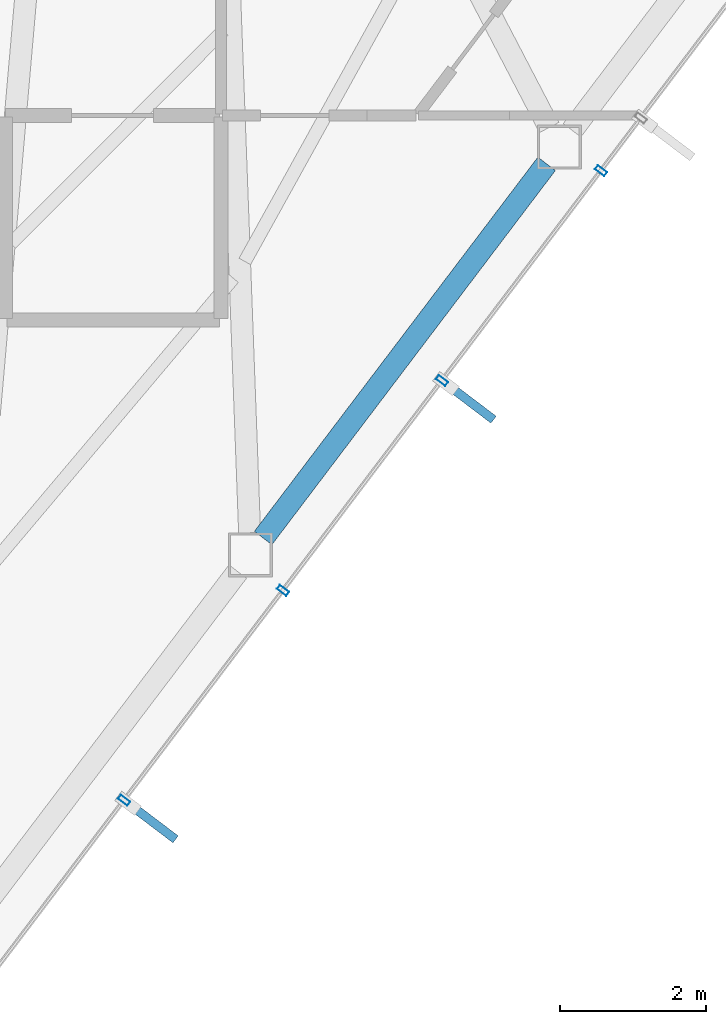
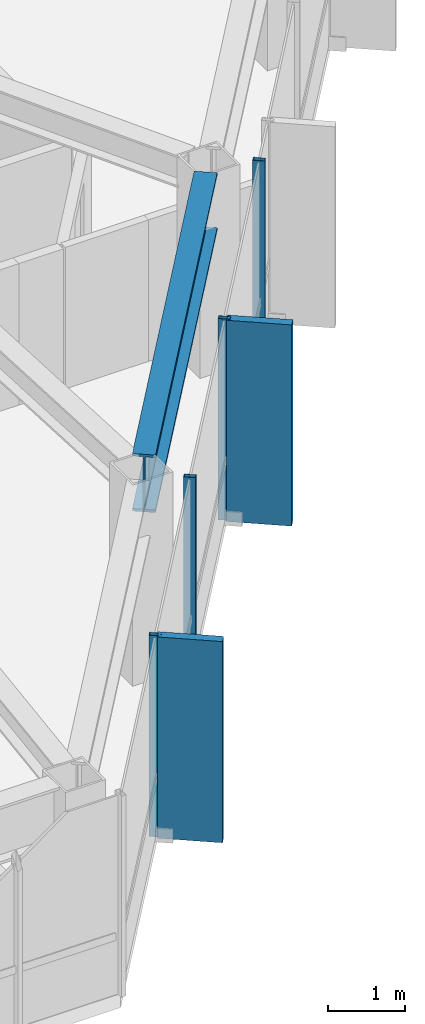
# One storey, part 14 of 25: 6 members, 1 beam, 1 element without a shape of its own.
"""IFC4 building model written with IfcOpenShell, lengths in metres."""

from ifc_helpers import new_model, si_unit, direction, frame, origin, origin_2d, place, context, subcontext, project, spatial, rectangle, hollow_rectangle, i_section, extrude, material, layer, layer_set, material_profile, profile_set, type_object, element, aggregate, save


model = new_model("IFC4")

# Units and contexts
model_context = context("Model", 3, precision=1e-05, world=origin(), true_north=direction((0.0, 1.0)))
body_context = subcontext(model_context, "Body", "Model", "MODEL_VIEW")
ifc_project = project(units=[si_unit("LENGTHUNIT", "METRE"), si_unit("AREAUNIT", "SQUARE_METRE"), si_unit("VOLUMEUNIT", "CUBIC_METRE"), si_unit("PLANEANGLEUNIT", "RADIAN"), si_unit("MASSUNIT", "GRAM", prefix="KILO")], contexts=[model_context])

# Site, building, storey
site_placement = place(None, origin())
site = spatial("IfcSite", under=ifc_project, at=site_placement, CompositionType="ELEMENT")
building_placement = place(site_placement, origin())
building = spatial("IfcBuilding", under=site, at=building_placement, Name="Zarrinselat Tower", CompositionType="ELEMENT")
storey_placement = place(building_placement, frame((0.0, 0.0, 212.159912109375)))
storey = spatial("IfcBuildingStorey", under=building, at=storey_placement, Name="L52", CompositionType="ELEMENT", Elevation=212.159912109375)

# Beam
ifc_material_1 = material(Name="Steel S460M", Category="steel")
ifc_material_profile_1 = material_profile(ifc_material_1, i_section(OverallWidth=0.302001953125, OverallDepth=0.909912109375, WebThickness=0.02099609375, FlangeThickness=0.0400390625, at=origin_2d()), Name="HEM 900")
ifc_profile_set_1 = profile_set([ifc_material_profile_1], Name="Steel S460M")
beam_type = type_object("IfcBeamType", Name="BM-HEM900", PredefinedType="BEAM", material=ifc_profile_set_1)
beam_placement = place(storey_placement, frame((48.926513671875, 24.369384765625, 2.72509765625), z_axis=(0.603860615044, 0.797089930684, 0.0), x_axis=(-0.797089930684, 0.603860615044, 0.0)))
element("IfcBeam", 1, at=beam_placement, inside=storey, type_object=beam_type, Name="L52 Perimeter Spandrel Girder SP12", PredefinedType="BEAM", context=body_context, shape_type="SweptSolid", body=[
    extrude(i_section(OverallWidth=0.302001953125, OverallDepth=0.909912109375, WebThickness=0.02099609375, FlangeThickness=0.0400390625, at=origin_2d()), origin(), (0.0, 0.0, 1.0), 6.423583984375),
])

# Curtain wall, members
ifc_material_2 = material(Name="Extruded Aluminium Alloy EN AW-6063 T6", Category="aluminium")
ifc_layer = layer(ifc_material_2, 0.169921875)
ifc_layer_set = layer_set([ifc_layer], Name="Extruded Aluminium Alloy EN AW-6063 T6")
curtain_wall_type = type_object("IfcCurtainWallType", Name="CWS-RES", PredefinedType="NOTDEFINED", material=ifc_layer_set)
curtain_wall_placement = place(storey_placement, origin())
curtain_wall = element("IfcCurtainWall", 2, at=curtain_wall_placement, inside=storey, type_object=curtain_wall_type, Name="L52 Unitised Curtain Wall CW-L52-E05", PredefinedType="NOTDEFINED")
ifc_material_3 = material(Name="Extruded Aluminium Alloy EN AW-6063 T6", Category="aluminium")
ifc_material_profile_2 = material_profile(ifc_material_3, hollow_rectangle(XDim=0.070068359375, YDim=0.159912109375, WallThickness=0.00390625, at=origin_2d()), Name="RHS 160x70x4")
ifc_profile_set_2 = profile_set([ifc_material_profile_2], Name="Extruded Aluminium Alloy EN AW-6063 T6")
member_type_1 = type_object("IfcMemberType", Name="MEM-CW-MUL2", PredefinedType="MULLION", material=ifc_profile_set_2)
member_1_placement = place(storey_placement, frame((47.02392578125, 20.781494140625, 0.0), z_axis=(0.0, 0.0, 1.0), x_axis=(0.603859492128, 0.797090781384, 0.0)))
member_1 = element("IfcMember", 3, at=member_1_placement, type_object=member_type_1, Name="CW-L52-E05 Mullion 1", PredefinedType="MULLION", context=body_context, shape_type="SweptSolid", body=[
    extrude(hollow_rectangle(XDim=0.070068359375, YDim=0.159912109375, WallThickness=0.00390625, at=origin_2d()), origin(), (0.0, 0.0, 1.0), 3.18017578125),
])
member_2_placement = place(storey_placement, frame((49.19873046875, 23.65234375, 0.0), z_axis=(0.0, 0.0, 1.0), x_axis=(0.603859492128, 0.797090781384, 0.0)))
member_2 = element("IfcMember", 4, at=member_2_placement, type_object=member_type_1, Name="CW-L52-E05 Mullion 2", PredefinedType="MULLION", context=body_context, shape_type="SweptSolid", body=[
    extrude(hollow_rectangle(XDim=0.070068359375, YDim=0.159912109375, WallThickness=0.00390625, at=origin_2d()), origin(), (0.0, 0.0, 1.0), 3.18017578125),
])
member_3_placement = place(storey_placement, frame((51.373779296875, 26.523193359375, 0.0), z_axis=(0.0, 0.0, 1.0), x_axis=(0.603859492128, 0.797090781384, 0.0)))
member_3 = element("IfcMember", 5, at=member_3_placement, type_object=member_type_1, Name="CW-L52-E05 Mullion 3", PredefinedType="MULLION", context=body_context, shape_type="SweptSolid", body=[
    extrude(hollow_rectangle(XDim=0.070068359375, YDim=0.159912109375, WallThickness=0.00390625, at=origin_2d()), origin(), (0.0, 0.0, 1.0), 3.18017578125),
])
member_4_placement = place(storey_placement, frame((53.548583984375, 29.39404296875, 0.0), z_axis=(0.0, 0.0, 1.0), x_axis=(0.603859492128, 0.797090781384, 0.0)))
member_4 = element("IfcMember", 6, at=member_4_placement, type_object=member_type_1, Name="CW-L52-E05 Mullion 4", PredefinedType="MULLION", context=body_context, shape_type="SweptSolid", body=[
    extrude(hollow_rectangle(XDim=0.070068359375, YDim=0.159912109375, WallThickness=0.00390625, at=origin_2d()), origin(), (0.0, 0.0, 1.0), 3.18017578125),
])
ifc_material_4 = material(Name="Honed Cream Travertine Stone", Category="masonry")
ifc_material_profile_3 = material_profile(ifc_material_4, rectangle(XDim=0.1201171875, YDim=0.85009765625, at=origin_2d()), Name="FIN 850x120")
ifc_profile_set_3 = profile_set([ifc_material_profile_3], Name="Honed Cream Travertine Stone")
member_type_2 = type_object("IfcMemberType", Name="MEM-STONE-FIN", PredefinedType="USERDEFINED", material=ifc_profile_set_3)
member_5_placement = place(storey_placement, frame((47.390625, 20.503662109375, 0.0), z_axis=(0.0, 0.0, 1.0), x_axis=(-0.603859492128, -0.797090781384, 0.0)))
member_5 = element("IfcMember", 7, at=member_5_placement, type_object=member_type_2, Name="L52 Stone Shading Fin CW-L52-E05-01", ObjectType="FIN", PredefinedType="USERDEFINED", context=body_context, shape_type="SweptSolid", body=[
    extrude(rectangle(XDim=0.1201171875, YDim=0.85009765625, at=origin_2d()), origin(), (0.0, 0.0, 1.0), 3.18017578125),
])
member_6_placement = place(storey_placement, frame((51.740478515625, 26.245361328125, 0.0), z_axis=(0.0, 0.0, 1.0), x_axis=(-0.603859492128, -0.797090781384, 0.0)))
member_6 = element("IfcMember", 8, at=member_6_placement, type_object=member_type_2, Name="L52 Stone Shading Fin CW-L52-E05-03", ObjectType="FIN", PredefinedType="USERDEFINED", context=body_context, shape_type="SweptSolid", body=[
    extrude(rectangle(XDim=0.1201171875, YDim=0.85009765625, at=origin_2d()), origin(), (0.0, 0.0, 1.0), 3.18017578125),
])
aggregate(curtain_wall, [member_1, member_5, member_2, member_3, member_6, member_4])

save(model, "model.ifc")
